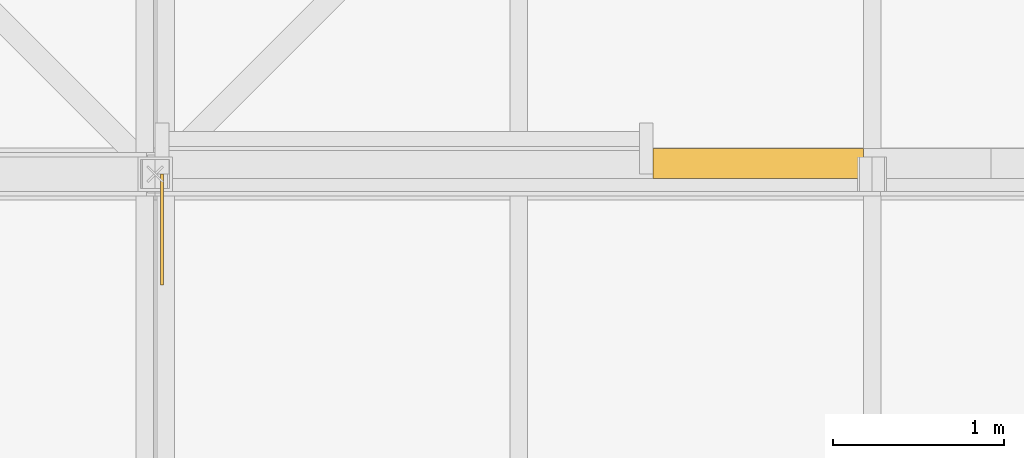
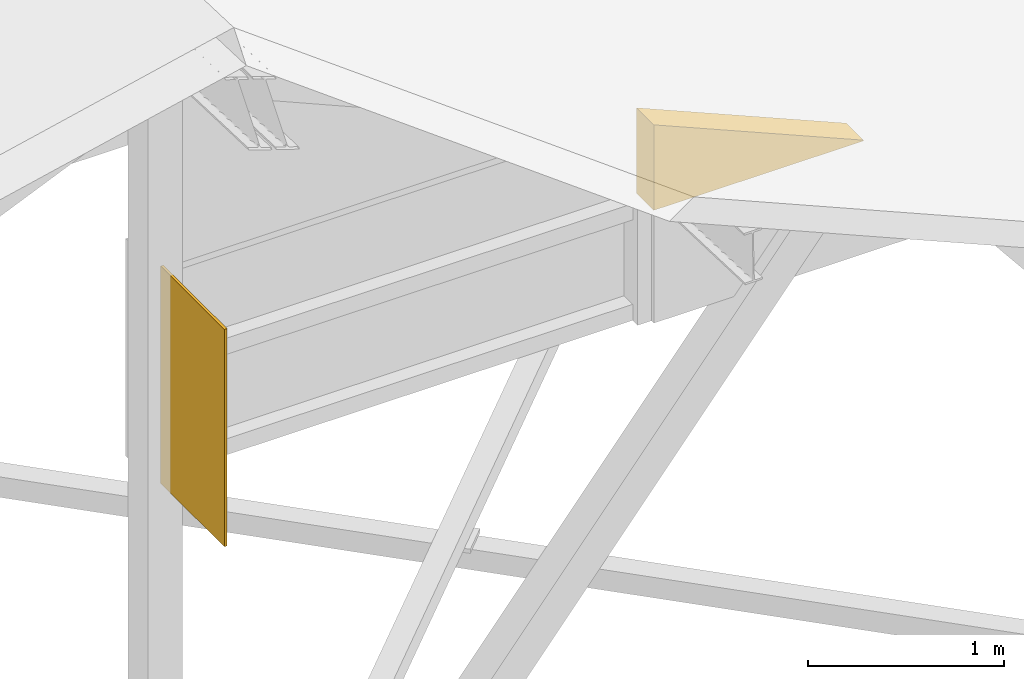
# One storey, part 70 of 76: 1 covering, 1 shading device.
"""IFC4 building model written with IfcOpenShell, lengths in metres."""

from ifc_helpers import new_model, si_unit, direction, frame, origin, origin_2d, place, context, subcontext, project, spatial, polyline, rectangle, outline, extrude, material, layer, layer_set, type_object, element, save


model = new_model("IFC4")

# Units and contexts
model_context = context("Model", 3, precision=1e-05, world=origin(), true_north=direction((0.0, 1.0)))
body_context = subcontext(model_context, "Body", "Model", "MODEL_VIEW")
ifc_project = project(units=[si_unit("LENGTHUNIT", "METRE"), si_unit("AREAUNIT", "SQUARE_METRE"), si_unit("VOLUMEUNIT", "CUBIC_METRE"), si_unit("PLANEANGLEUNIT", "RADIAN"), si_unit("MASSUNIT", "GRAM", prefix="KILO")], contexts=[model_context])

# Site, building, storey
site_placement = place(None, origin())
site = spatial("IfcSite", under=ifc_project, at=site_placement, CompositionType="ELEMENT")
building_placement = place(site_placement, origin())
building = spatial("IfcBuilding", under=site, at=building_placement, Name="Hlaing Beacon Police Headquarters", CompositionType="ELEMENT")
storey_placement = place(building_placement, frame((0.0, 0.0, 18.89990234375)))
storey = spatial("IfcBuildingStorey", under=building, at=storey_placement, Name="L04", CompositionType="ELEMENT", Elevation=18.89990234375)

# Shading device
ifc_material_1 = material(Name="Aluminium 6063-T5 anodised", Category="aluminium")
ifc_layer_1 = layer(ifc_material_1, 0.01611328125)
ifc_layer_set_1 = layer_set([ifc_layer_1], Name="Aluminium 6063-T5 anodised")
shading_device_type = type_object("IfcShadingDeviceType", Name="Aluminium fin 16x650", PredefinedType="JALOUSIE", material=ifc_layer_set_1)
shading_device_placement = place(storey_placement, frame((67.239990234375, 33.27490234375, 0.0), z_axis=(0.0, 0.0, 1.0), x_axis=(1.0, 0.0, 0.0)))
element("IfcShadingDevice", 1, at=shading_device_placement, inside=storey, type_object=shading_device_type, Name="Fin L04 S001.0", PredefinedType="JALOUSIE", context=body_context, shape_type="SweptSolid", body=[
    extrude(rectangle(XDim=0.01611328125, YDim=0.64990234375, at=origin_2d()), origin(), (0.0, 0.0, 1.0), 1.35009765625),
])

# Covering
ifc_material_2 = material(Name="Insulated aluminium panel infill", Category="aluminium")
ifc_layer_2 = layer(ifc_material_2, 0.175048828125)
ifc_layer_set_2 = layer_set([ifc_layer_2], Name="Insulated aluminium panel infill")
covering_type = type_object("IfcCoveringType", Name="Closure panel, Insulated panel infill wall 175", PredefinedType="CLADDING", material=ifc_layer_set_2)
covering_placement = place(storey_placement, frame((70.11669921875, 33.66259765625, 0.701171875), z_axis=(0.0, 0.0, 1.0), x_axis=(1.0, 0.0, 0.0)))
element("IfcCovering", 2, at=covering_placement, inside=storey, type_object=covering_type, Name="Closure panel Gable fascia L04 S004", PredefinedType="CLADDING", context=body_context, shape_type="SweptSolid", body=[
    extrude(outline(polyline([(0.0, 0.0), (1.232421875, 0.0), (1.232421875, 0.0048828125), (0.0, 0.531494140625), (0.0, 0.0)])), frame((0.0, 0.08740234375, 0.0), z_axis=(0.0, -1.0, 0.0), x_axis=(1.0, 0.0, 0.0)), (0.0, 0.0, 1.0), 0.175048828125),
])

save(model, "model.ifc")
